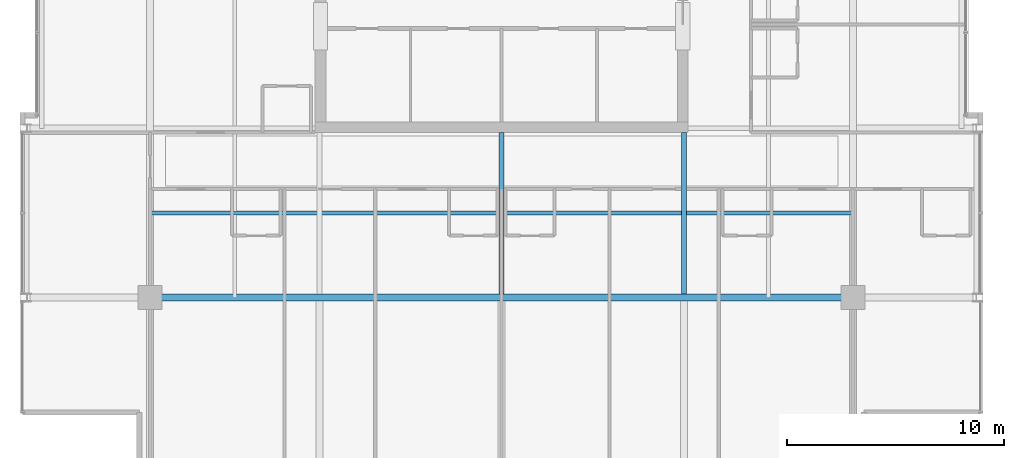
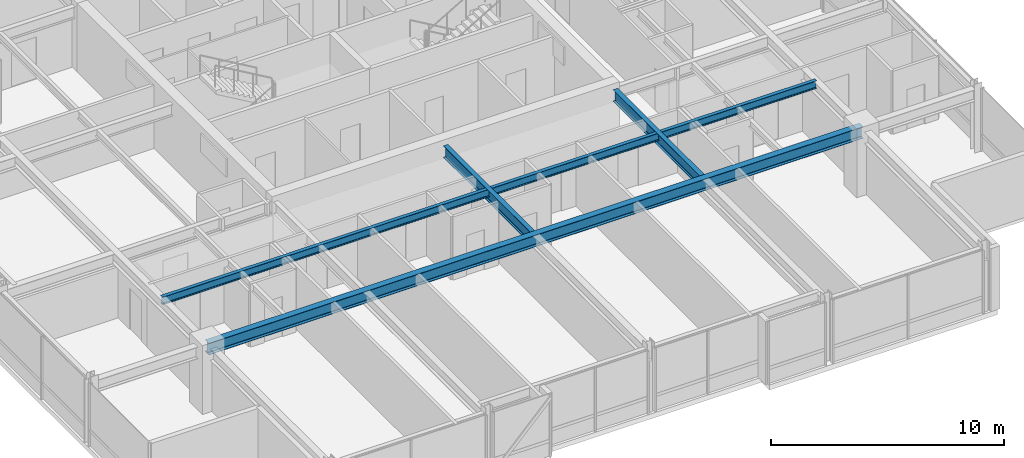
# One storey, part 9 of 34: 4 beams.
"""IFC4 building model written with IfcOpenShell, lengths in metres."""

from ifc_helpers import new_model, si_unit, direction, frame, origin, origin_2d, place, context, subcontext, project, spatial, i_section, extrude, material, material_profile, profile_set, type_object, element, save


model = new_model("IFC4")

# Units and contexts
model_context = context("Model", 3, precision=1e-05, world=origin(), true_north=direction((0.0, 1.0)))
body_context = subcontext(model_context, "Body", "Model", "MODEL_VIEW")
ifc_project = project(units=[si_unit("LENGTHUNIT", "METRE"), si_unit("AREAUNIT", "SQUARE_METRE"), si_unit("VOLUMEUNIT", "CUBIC_METRE"), si_unit("PLANEANGLEUNIT", "RADIAN"), si_unit("MASSUNIT", "GRAM", prefix="KILO")], contexts=[model_context])

# Site, building, storey
site_placement = place(None, origin())
site = spatial("IfcSite", under=ifc_project, at=site_placement, CompositionType="ELEMENT")
building_placement = place(site_placement, origin())
building = spatial("IfcBuilding", under=site, at=building_placement, Name="Drelvath Grand Hotel", CompositionType="ELEMENT")
storey_placement = place(building_placement, frame((0.0, 0.0, 251.89990234375)))
storey = spatial("IfcBuildingStorey", under=building, at=storey_placement, Name="L66", CompositionType="ELEMENT", Elevation=251.89990234375)

# Beams
ifc_material = material(Name="Steel ASTM A992 Gr 50", Category="steel")
ifc_material_profile_1 = material_profile(ifc_material, i_section(OverallWidth=0.177734375, OverallDepth=0.40673828125, WebThickness=0.0078125, FlangeThickness=0.0126953125, FilletRadius=0.014892578125, at=origin_2d()), Name="W16X40")
ifc_profile_set_1 = profile_set([ifc_material_profile_1], Name="Steel ASTM A992 Gr 50")
beam_type_1 = type_object("IfcBeamType", Name="Composite Floor Joist W16X40", PredefinedType="JOIST", material=ifc_profile_set_1)
beam_1_placement = place(storey_placement, frame((-16.199951171875, 14.699951171875, 3.0966796875), z_axis=(1.0, 0.0, 0.0), x_axis=(0.0, 1.0, 0.0)))
element("IfcBeam", 1, at=beam_1_placement, inside=storey, type_object=beam_type_1, Name="L66 Floor Joist J1", PredefinedType="JOIST", context=body_context, shape_type="SweptSolid", body=[
    extrude(i_section(OverallWidth=0.177734375, OverallDepth=0.40673828125, WebThickness=0.0078125, FlangeThickness=0.0126953125, FilletRadius=0.014892578125, at=origin_2d()), origin(), (0.0, 0.0, 1.0), 32.39990234375),
])
ifc_material_profile_2 = material_profile(ifc_material, i_section(OverallWidth=0.323974609375, OverallDepth=0.611083984375, WebThickness=0.0126953125, FlangeThickness=0.01904296875, FilletRadius=0.02197265625, at=origin_2d()), Name="W24X104")
ifc_profile_set_2 = profile_set([ifc_material_profile_2], Name="Steel ASTM A992 Gr 50")
beam_type_2 = type_object("IfcBeamType", Name="Primary Floor Girder W24X104", PredefinedType="BEAM", material=ifc_profile_set_2)
beam_2_placement = place(storey_placement, frame((-16.199951171875, 10.800048828125, 2.994384765625), z_axis=(1.0, 0.0, 0.0), x_axis=(0.0, 1.0, 0.0)))
element("IfcBeam", 2, at=beam_2_placement, inside=storey, type_object=beam_type_2, Name="L66 Mega Ring Girder South", PredefinedType="BEAM", context=body_context, shape_type="SweptSolid", body=[
    extrude(i_section(OverallWidth=0.323974609375, OverallDepth=0.611083984375, WebThickness=0.0126953125, FlangeThickness=0.01904296875, FilletRadius=0.02197265625, at=origin_2d()), origin(), (0.0, 0.0, 1.0), 32.39990234375),
])
ifc_material_profile_3 = material_profile(ifc_material, i_section(OverallWidth=0.228271484375, OverallDepth=0.607666015625, WebThickness=0.01123046875, FlangeThickness=0.017333984375, FilletRadius=0.02001953125, at=origin_2d()), Name="W24X76")
ifc_profile_set_3 = profile_set([ifc_material_profile_3], Name="Steel ASTM A992 Gr 50")
beam_type_3 = type_object("IfcBeamType", Name="Primary Floor Girder W24X76", PredefinedType="BEAM", material=ifc_profile_set_3)
for number, where, z_axis, x_axis, name in (
    (3, (0.0, 10.9619140625, 2.996337890625), (0.0, 1.0, 0.0), (-1.0, 0.0, 0.0), "L66 South Core Tie 5"),
    (4, (8.39990234375, 10.9619140625, 2.996337890625), (0.0, 1.0, 0.0), (-1.0, 0.0, 0.0), "L66 South Core Tie 6"),
):
    element("IfcBeam", number, at=place(storey_placement, frame(where, z_axis=z_axis, x_axis=x_axis)), inside=storey, type_object=beam_type_3, Name=name, PredefinedType="BEAM", context=body_context, shape_type="SweptSolid", body=[
        extrude(i_section(OverallWidth=0.228271484375, OverallDepth=0.607666015625, WebThickness=0.01123046875, FlangeThickness=0.017333984375, FilletRadius=0.02001953125, at=origin_2d()), origin(), (0.0, 0.0, 1.0), 7.43798828125),
    ])

save(model, "model.ifc")
